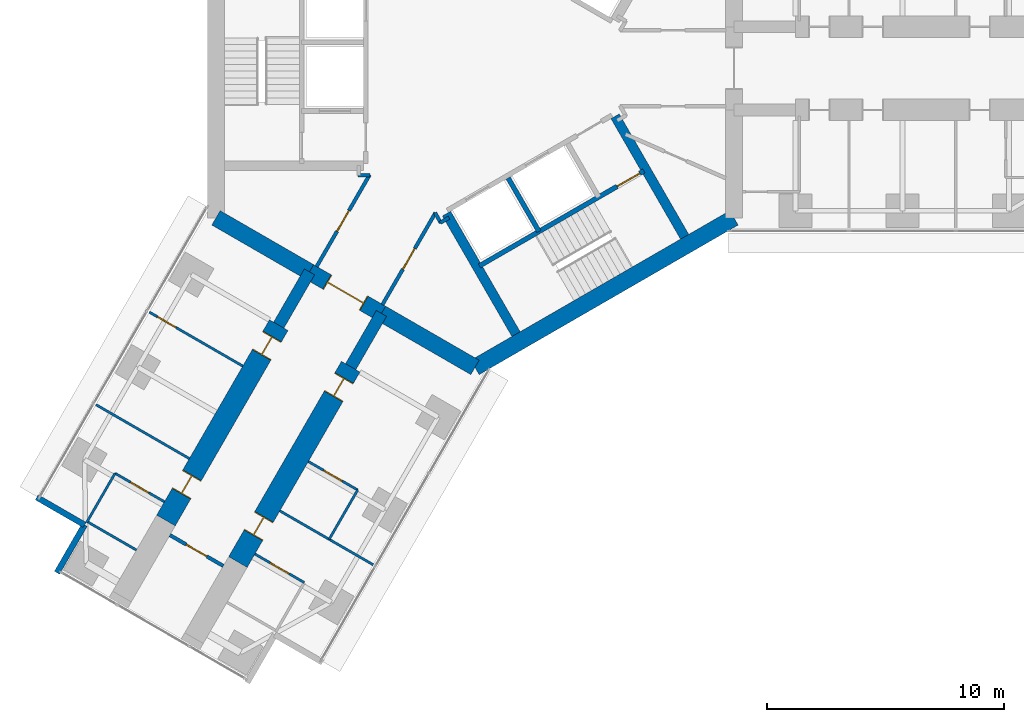
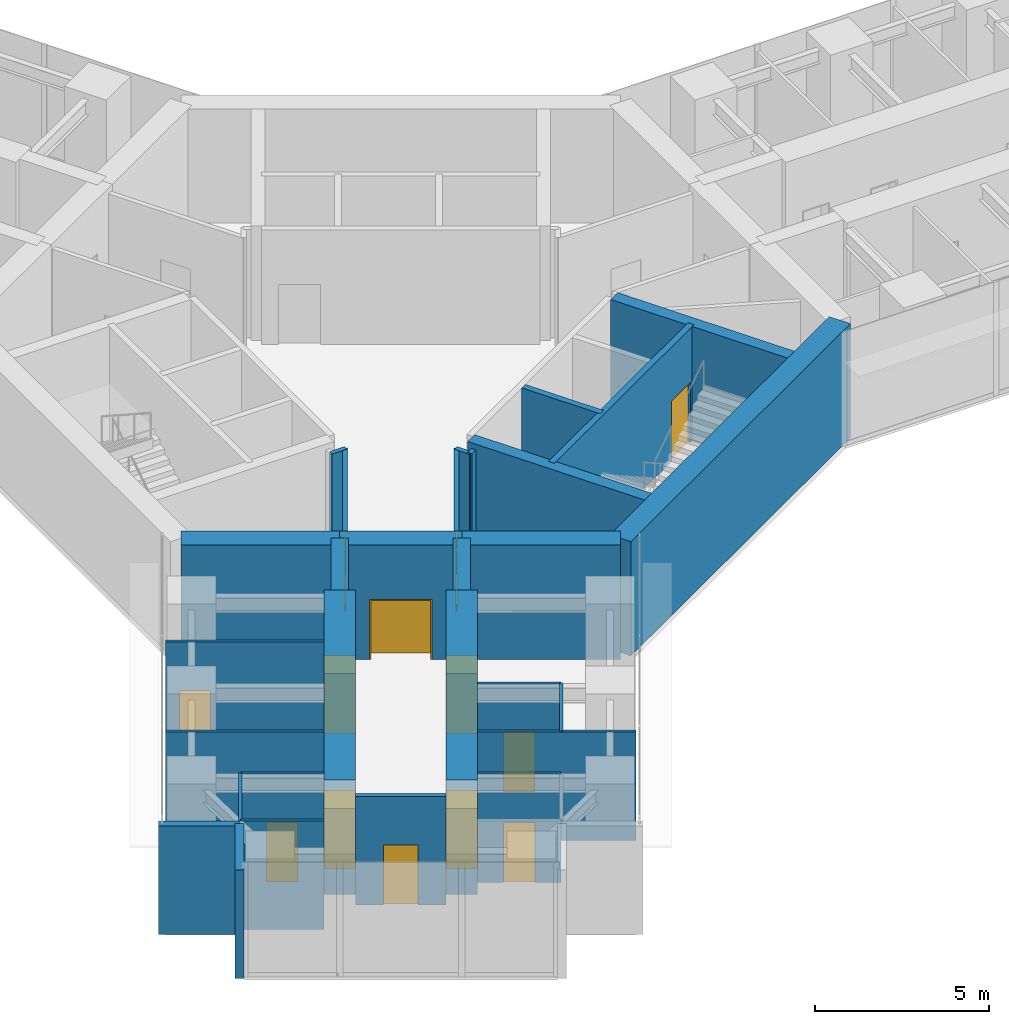
# One storey, part 16 of 25: 29 walls, 13 doors, 13 openings.
"""IFC4 building model written with IfcOpenShell, lengths in metres."""

from ifc_helpers import new_model, si_unit, direction, frame, frame_2d, origin, place, context, subcontext, project, spatial, rectangle, extrude, material, layer, layer_set, type_object, element, fill, save


model = new_model("IFC4")

# Units and contexts
model_context = context("Model", 3, precision=1e-05, world=origin(), true_north=direction((0.0, 1.0)))
body_context = subcontext(model_context, "Body", "Model", "MODEL_VIEW")
ifc_project = project(units=[si_unit("LENGTHUNIT", "METRE"), si_unit("AREAUNIT", "SQUARE_METRE"), si_unit("VOLUMEUNIT", "CUBIC_METRE"), si_unit("PLANEANGLEUNIT", "RADIAN"), si_unit("MASSUNIT", "GRAM", prefix="KILO")], contexts=[model_context])

# Site, building, storey
site_placement = place(None, origin())
site = spatial("IfcSite", under=ifc_project, at=site_placement, CompositionType="ELEMENT")
building_placement = place(site_placement, origin())
building = spatial("IfcBuilding", under=site, at=building_placement, Name="Upepo Twin Towers", CompositionType="ELEMENT")
storey_placement = place(building_placement, frame((0.0, 0.0, 80.5)))
storey = spatial("IfcBuildingStorey", under=building, at=storey_placement, Name="L19", CompositionType="ELEMENT", Elevation=80.5)

# Walls
ifc_material_1 = material(Name="Concrete C60/75", Category="concrete")
ifc_layer_1 = layer(ifc_material_1, 0.5)
ifc_layer_set_1 = layer_set([ifc_layer_1], Name="Concrete C60/75")
wall_type_1 = type_object("IfcWallType", Name="Buttress wall 500 RC", PredefinedType="SHEAR", material=ifc_layer_set_1)
for number, where, z_axis, x_axis, name in (
    (1, (-3.938720703125, -10.32177734375, 0.0), (0.0, 0.0, 1.0), (-0.499918158782, -0.866072649678, 0.0), "T1 wing C buttress wall L"),
    (2, (-6.9697265625, -8.57177734375, 0.0), (0.0, 0.0, 1.0), (-0.499988811324, -0.866031863473, 0.0), "T1 wing C buttress wall R"),
):
    element("IfcWall", number, at=place(storey_placement, frame(where, z_axis=z_axis, x_axis=x_axis)), inside=storey, type_object=wall_type_1, Name=name, PredefinedType="SHEAR", context=body_context, shape_type="SweptSolid", body=[
        extrude(rectangle(XDim=2.591796875, YDim=0.5, at=frame_2d((1.2958984375, 0.0))), origin(), (0.0, 0.0, 1.0), 4.0),
    ])

# Wall, openings, doors
ifc_material_2 = material(Name="Concrete C60/75", Category="concrete")
ifc_layer_2 = layer(ifc_material_2, 0.89990234375)
ifc_layer_set_2 = layer_set([ifc_layer_2], Name="Concrete C60/75")
wall_type_2 = type_object("IfcWallType", Name="Buttress wall 900 RC", PredefinedType="SHEAR", material=ifc_layer_set_2)
wall_1_placement = place(storey_placement, frame((-5.234375, -12.56640625, 0.0), z_axis=(0.0, 0.0, 1.0), x_axis=(-0.499997557548, -0.86602681393, 0.0)))
wall_1 = element("IfcWall", 3, at=wall_1_placement, inside=storey, type_object=wall_type_2, Name="T1 wing C buttress wall L part 2", PredefinedType="SHEAR", context=body_context, shape_type="SweptSolid", body=[
    extrude(rectangle(XDim=9.5, YDim=0.89990234375, at=frame_2d((4.75, 0.0))), origin(), (0.0, 0.0, 1.0), 4.0),
])
opening_1_placement = place(wall_1_placement, frame((0.550048828125, 0.0, 0.0)))
opening_1 = element("IfcOpeningElement", 4, at=opening_1_placement, cuts=wall_1, Name="Opening D14", PredefinedType="OPENING", context=body_context, shape_type="SweptSolid", body=[
    extrude(rectangle(XDim=0.89990234375, YDim=2.10009765625, at=frame_2d((0.449951171875, 1.050048828125))), frame((0.0, 0.4599609375, 0.0), z_axis=(0.0, -1.0, 0.0), x_axis=(1.0, 0.0, 0.0)), (0.0, 0.0, 1.0), 0.919921875),
])
opening_2_placement = place(wall_1_placement, frame((7.300048828125, 0.0, 0.0)))
opening_2 = element("IfcOpeningElement", 5, at=opening_2_placement, cuts=wall_1, Name="Opening D14", PredefinedType="OPENING", context=body_context, shape_type="SweptSolid", body=[
    extrude(rectangle(XDim=0.89990234375, YDim=2.10009765625, at=frame_2d((0.449951171875, 1.050048828125))), frame((0.0, 0.4599609375, 0.0), z_axis=(0.0, -1.0, 0.0), x_axis=(1.0, 0.0, 0.0)), (0.0, 0.0, 1.0), 0.919921875),
])
ifc_material_3 = material(Name="Timber doorset", Category="wood")
door_type_1 = type_object("IfcDoorType", Name="Office door 900 FD30", OperationType="SINGLE_SWING_LEFT", PredefinedType="DOOR", material=ifc_material_3)
door_1_placement = place(opening_1_placement, origin())
door_1 = element("IfcDoor", 6, at=door_1_placement, inside=storey, type_object=door_type_1, Name="T1 L19 open-plan staff office door", OperationType="SINGLE_SWING_LEFT", OverallHeight=2.10009765625, OverallWidth=0.89990234375, PredefinedType="DOOR", context=body_context, shape_type="SweptSolid", body=[
    extrude(rectangle(XDim=0.81990234375, YDim=2.06009765625, at=frame_2d((0.449951171875, 1.030029296875))), frame((0.0, 0.02490234375, 0.0), z_axis=(0.0, -1.0, 0.0), x_axis=(1.0, 0.0, 0.0)), (0.0, 0.0, 1.0), 0.050048828125),
    extrude(rectangle(XDim=0.04, YDim=2.10009765625, at=frame_2d((0.02001953125, 1.050048828125))), frame((0.0, 0.44970703125, 0.0), z_axis=(0.0, -1.0, 0.0), x_axis=(1.0, 0.0, 0.0)), (0.0, 0.0, 1.0), 0.8994140625),
    extrude(rectangle(XDim=0.04, YDim=2.10009765625, at=frame_2d((0.8798828125, 1.050048828125))), frame((0.0, 0.44970703125, 0.0), z_axis=(0.0, -1.0, 0.0), x_axis=(1.0, 0.0, 0.0)), (0.0, 0.0, 1.0), 0.8994140625),
    extrude(rectangle(XDim=0.81990234375, YDim=0.04, at=frame_2d((0.449951171875, 2.080078125))), frame((0.0, 0.44970703125, 0.0), z_axis=(0.0, -1.0, 0.0), x_axis=(1.0, 0.0, 0.0)), (0.0, 0.0, 1.0), 0.8994140625),
])
fill(opening_1, door_1)
door_2_placement = place(opening_2_placement, origin())
door_2 = element("IfcDoor", 7, at=door_2_placement, inside=storey, type_object=door_type_1, Name="T1 L19 meeting room door", OperationType="SINGLE_SWING_RIGHT", OverallHeight=2.10009765625, OverallWidth=0.89990234375, PredefinedType="DOOR", context=body_context, shape_type="SweptSolid", body=[
    extrude(rectangle(XDim=0.81990234375, YDim=2.06009765625, at=frame_2d((0.449951171875, 1.030029296875))), frame((0.0, 0.02490234375, 0.0), z_axis=(0.0, -1.0, 0.0), x_axis=(1.0, 0.0, 0.0)), (0.0, 0.0, 1.0), 0.050048828125),
    extrude(rectangle(XDim=0.04, YDim=2.10009765625, at=frame_2d((0.02001953125, 1.050048828125))), frame((0.0, 0.44970703125, 0.0), z_axis=(0.0, -1.0, 0.0), x_axis=(1.0, 0.0, 0.0)), (0.0, 0.0, 1.0), 0.8994140625),
    extrude(rectangle(XDim=0.04, YDim=2.10009765625, at=frame_2d((0.8798828125, 1.050048828125))), frame((0.0, 0.44970703125, 0.0), z_axis=(0.0, -1.0, 0.0), x_axis=(1.0, 0.0, 0.0)), (0.0, 0.0, 1.0), 0.8994140625),
    extrude(rectangle(XDim=0.81990234375, YDim=0.04, at=frame_2d((0.449951171875, 2.080078125))), frame((0.0, 0.44970703125, 0.0), z_axis=(0.0, -1.0, 0.0), x_axis=(1.0, 0.0, 0.0)), (0.0, 0.0, 1.0), 0.8994140625),
])
fill(opening_2, door_2)

wall_2_placement = place(storey_placement, frame((-8.265625, -10.81640625, 0.0), z_axis=(0.0, 0.0, 1.0), x_axis=(-0.499997557548, -0.86602681393, 0.0)))
wall_2 = element("IfcWall", 8, at=wall_2_placement, inside=storey, type_object=wall_type_2, Name="T1 wing C buttress wall R part 2", PredefinedType="SHEAR", context=body_context, shape_type="SweptSolid", body=[
    extrude(rectangle(XDim=9.5, YDim=0.89990234375, at=frame_2d((4.75, 0.0))), origin(), (0.0, 0.0, 1.0), 4.0),
])
opening_3_placement = place(wall_2_placement, frame((0.550048828125, 0.0, 0.0)))
opening_3 = element("IfcOpeningElement", 9, at=opening_3_placement, cuts=wall_2, Name="Opening D14", PredefinedType="OPENING", context=body_context, shape_type="SweptSolid", body=[
    extrude(rectangle(XDim=0.89990234375, YDim=2.10009765625, at=frame_2d((0.449951171875, 1.050048828125))), frame((0.0, 0.4599609375, 0.0), z_axis=(0.0, -1.0, 0.0), x_axis=(1.0, 0.0, 0.0)), (0.0, 0.0, 1.0), 0.919921875),
])
opening_4_placement = place(wall_2_placement, frame((7.300048828125, 0.0, 0.0)))
opening_4 = element("IfcOpeningElement", 10, at=opening_4_placement, cuts=wall_2, Name="Opening D14", PredefinedType="OPENING", context=body_context, shape_type="SweptSolid", body=[
    extrude(rectangle(XDim=0.89990234375, YDim=2.10009765625, at=frame_2d((0.449951171875, 1.050048828125))), frame((0.0, 0.4599609375, 0.0), z_axis=(0.0, -1.0, 0.0), x_axis=(1.0, 0.0, 0.0)), (0.0, 0.0, 1.0), 0.919921875),
])
door_3_placement = place(opening_3_placement, origin())
door_3 = element("IfcDoor", 11, at=door_3_placement, inside=storey, type_object=door_type_1, Name="T1 L19 staff office door", OperationType="SINGLE_SWING_LEFT", OverallHeight=2.10009765625, OverallWidth=0.89990234375, PredefinedType="DOOR", context=body_context, shape_type="SweptSolid", body=[
    extrude(rectangle(XDim=0.81990234375, YDim=2.06009765625, at=frame_2d((0.449951171875, 1.030029296875))), frame((0.0, 0.02490234375, 0.0), z_axis=(0.0, -1.0, 0.0), x_axis=(1.0, 0.0, 0.0)), (0.0, 0.0, 1.0), 0.050048828125),
    extrude(rectangle(XDim=0.04, YDim=2.10009765625, at=frame_2d((0.02001953125, 1.050048828125))), frame((0.0, 0.44970703125, 0.0), z_axis=(0.0, -1.0, 0.0), x_axis=(1.0, 0.0, 0.0)), (0.0, 0.0, 1.0), 0.8994140625),
    extrude(rectangle(XDim=0.04, YDim=2.10009765625, at=frame_2d((0.8798828125, 1.050048828125))), frame((0.0, 0.44970703125, 0.0), z_axis=(0.0, -1.0, 0.0), x_axis=(1.0, 0.0, 0.0)), (0.0, 0.0, 1.0), 0.8994140625),
    extrude(rectangle(XDim=0.81990234375, YDim=0.04, at=frame_2d((0.449951171875, 2.080078125))), frame((0.0, 0.44970703125, 0.0), z_axis=(0.0, -1.0, 0.0), x_axis=(1.0, 0.0, 0.0)), (0.0, 0.0, 1.0), 0.8994140625),
])
fill(opening_3, door_3)
door_4_placement = place(opening_4_placement, origin())
door_4 = element("IfcDoor", 12, at=door_4_placement, inside=storey, type_object=door_type_1, Name="T1 L19 postgraduate office door", OperationType="SINGLE_SWING_RIGHT", OverallHeight=2.10009765625, OverallWidth=0.89990234375, PredefinedType="DOOR", context=body_context, shape_type="SweptSolid", body=[
    extrude(rectangle(XDim=0.81990234375, YDim=2.06009765625, at=frame_2d((0.449951171875, 1.030029296875))), frame((0.0, 0.02490234375, 0.0), z_axis=(0.0, -1.0, 0.0), x_axis=(1.0, 0.0, 0.0)), (0.0, 0.0, 1.0), 0.050048828125),
    extrude(rectangle(XDim=0.04, YDim=2.10009765625, at=frame_2d((0.02001953125, 1.050048828125))), frame((0.0, 0.44970703125, 0.0), z_axis=(0.0, -1.0, 0.0), x_axis=(1.0, 0.0, 0.0)), (0.0, 0.0, 1.0), 0.8994140625),
    extrude(rectangle(XDim=0.04, YDim=2.10009765625, at=frame_2d((0.8798828125, 1.050048828125))), frame((0.0, 0.44970703125, 0.0), z_axis=(0.0, -1.0, 0.0), x_axis=(1.0, 0.0, 0.0)), (0.0, 0.0, 1.0), 0.8994140625),
    extrude(rectangle(XDim=0.81990234375, YDim=0.04, at=frame_2d((0.449951171875, 2.080078125))), frame((0.0, 0.44970703125, 0.0), z_axis=(0.0, -1.0, 0.0), x_axis=(1.0, 0.0, 0.0)), (0.0, 0.0, 1.0), 0.8994140625),
])
fill(opening_4, door_4)

# Wall
ifc_material_4 = material(Name="Concrete C60/75", Category="concrete")
ifc_layer_3 = layer(ifc_material_4, 0.699951171875)
ifc_layer_set_3 = layer_set([ifc_layer_3], Name="Concrete C60/75")
wall_type_3 = type_object("IfcWallType", Name="Core wall 700 RC", PredefinedType="SHEAR", material=ifc_layer_set_3)
wall_3_placement = place(storey_placement, frame((-10.908447265625, -6.2978515625, 0.0), z_axis=(0.0, 0.0, 1.0), x_axis=(0.866034513004, -0.499984222037, 0.0)))
element("IfcWall", 13, at=wall_3_placement, inside=storey, type_object=wall_type_3, Name="T1 core wall 240 R", PredefinedType="SHEAR", context=body_context, shape_type="SweptSolid", body=[
    extrude(rectangle(XDim=4.548095703125, YDim=0.699951171875, at=frame_2d((2.27392578125, 0.0))), origin(), (0.0, 0.0, 1.0), 4.0),
])

# Wall, opening, door
wall_4_placement = place(storey_placement, frame((-6.9697265625, -8.57177734375, 0.0), z_axis=(0.0, 0.0, 1.0), x_axis=(0.866019471182, -0.500010275428, 0.0)))
wall_4 = element("IfcWall", 14, at=wall_4_placement, inside=storey, type_object=wall_type_3, Name="T1 core wall 240", PredefinedType="SHEAR", context=body_context, shape_type="SweptSolid", body=[
    extrude(rectangle(XDim=3.5, YDim=0.699951171875, at=frame_2d((1.75, 0.0))), origin(), (0.0, 0.0, 1.0), 4.0),
])
opening_5_placement = place(wall_4_placement, frame((0.85009765625, 0.0, 0.0)))
opening_5 = element("IfcOpeningElement", 15, at=opening_5_placement, cuts=wall_4, Name="Opening D2", PredefinedType="OPENING", context=body_context, shape_type="SweptSolid", body=[
    extrude(rectangle(XDim=1.800048828125, YDim=2.10009765625, at=frame_2d((0.89990234375, 1.050048828125))), frame((0.0, 0.35986328125, 0.0), z_axis=(0.0, -1.0, 0.0), x_axis=(1.0, 0.0, 0.0)), (0.0, 0.0, 1.0), 0.719970703125),
])
ifc_material_5 = material(Name="Timber doorset", Category="wood")
door_type_2 = type_object("IfcDoorType", Name="Corridor double door 1800 FD60", OperationType="DOUBLE_DOOR_DOUBLE_SWING", PredefinedType="DOOR", material=ifc_material_5)
door_5_placement = place(opening_5_placement, origin())
door_5 = element("IfcDoor", 16, at=door_5_placement, inside=storey, type_object=door_type_2, Name="T1 L19 wing C corridor door", OperationType="DOUBLE_DOOR_DOUBLE_SWING", OverallHeight=2.10009765625, OverallWidth=1.800048828125, PredefinedType="DOOR", context=body_context, shape_type="SweptSolid", body=[
    extrude(rectangle(XDim=1.720048828125, YDim=2.06009765625, at=frame_2d((0.89990234375, 1.030029296875))), frame((0.0, 0.02490234375, 0.0), z_axis=(0.0, -1.0, 0.0), x_axis=(1.0, 0.0, 0.0)), (0.0, 0.0, 1.0), 0.050048828125),
    extrude(rectangle(XDim=0.04, YDim=2.10009765625, at=frame_2d((0.02001953125, 1.050048828125))), frame((0.0, 0.349609375, 0.0), z_axis=(0.0, -1.0, 0.0), x_axis=(1.0, 0.0, 0.0)), (0.0, 0.0, 1.0), 0.699462890625),
    extrude(rectangle(XDim=0.04, YDim=2.10009765625, at=frame_2d((1.780029296875, 1.050048828125))), frame((0.0, 0.349609375, 0.0), z_axis=(0.0, -1.0, 0.0), x_axis=(1.0, 0.0, 0.0)), (0.0, 0.0, 1.0), 0.699462890625),
    extrude(rectangle(XDim=1.720048828125, YDim=0.04, at=frame_2d((0.89990234375, 2.080078125))), frame((0.0, 0.349609375, 0.0), z_axis=(0.0, -1.0, 0.0), x_axis=(1.0, 0.0, 0.0)), (0.0, 0.0, 1.0), 0.699462890625),
])
fill(opening_5, door_5)

# Walls
wall_5_placement = place(storey_placement, frame((-3.938720703125, -10.32177734375, 0.0), z_axis=(0.0, 0.0, 1.0), x_axis=(0.866011268655, -0.500024481964, 0.0)))
element("IfcWall", 17, at=wall_5_placement, inside=storey, type_object=wall_type_3, Name="T1 core wall 240 L", PredefinedType="SHEAR", context=body_context, shape_type="SweptSolid", body=[
    extrude(rectangle(XDim=4.548095703125, YDim=0.699951171875, at=frame_2d((2.27392578125, 0.0))), origin(), (0.0, 0.0, 1.0), 4.0),
])
wall_6_placement = place(storey_placement, frame((0.0, -12.595947265625, 0.0), z_axis=(0.0, 0.0, 1.0), x_axis=(0.866021940709, 0.500005998175, 0.0)))
element("IfcWall", 18, at=wall_6_placement, inside=storey, type_object=wall_type_3, Name="T1 core wall 300", PredefinedType="SHEAR", context=body_context, shape_type="SweptSolid", body=[
    extrude(rectangle(XDim=12.595947265625, YDim=0.699951171875, at=frame_2d((6.2978515625, 0.0))), origin(), (0.0, 0.0, 1.0), 4.0),
])
ifc_material_6 = material(Name="Blockwork with anodised aluminium cladding", Category="masonry")
ifc_layer_4 = layer(ifc_material_6, 0.25)
ifc_layer_set_4 = layer_set([ifc_layer_4], Name="Notch cladding wall 250, pale metal")
wall_type_4 = type_object("IfcWallType", Name="Notch cladding wall 250, pale metal", PredefinedType="STANDARD", material=ifc_layer_set_4)
for number, where, z_axis, x_axis, name in (
    (19, (-18.456298828125, -18.0673828125, 0.0), (0.0, 0.0, 1.0), (0.865998469481, -0.500046648681, 0.0), "T1 L19 wing C notch wall R1"),
    (20, (-16.44287109375, -19.22998046875, 0.0), (0.0, 0.0, 1.0), (-0.500046648681, -0.865998469481, 0.0), "T1 L19 wing C notch wall R2"),
):
    element("IfcWall", number, at=place(storey_placement, frame(where, z_axis=z_axis, x_axis=x_axis)), inside=storey, type_object=wall_type_4, Name=name, PredefinedType="STANDARD", context=body_context, shape_type="SweptSolid", body=[
        extrude(rectangle(XDim=2.324951171875, YDim=0.25, at=frame_2d((1.16259765625, 0.0))), origin(), (0.0, 0.0, 1.0), 3.800048828125),
    ])
ifc_material_7 = material(Name="Gypsum board on steel studs", Category="steel")
ifc_layer_5 = layer(ifc_material_7, 0.10009765625)
ifc_layer_set_5 = layer_set([ifc_layer_5], Name="Office partition 100 stud")
wall_type_5 = type_object("IfcWallType", Name="Office partition 100 stud", PredefinedType="PARTITIONING", material=ifc_layer_set_5)
wall_7_placement = place(storey_placement, frame((-8.2197265625, -18.636962890625, 0.0), z_axis=(0.0, 0.0, 1.0), x_axis=(0.866012237902, -0.500022803284, 0.0)))
element("IfcWall", 21, at=wall_7_placement, inside=storey, type_object=wall_type_5, Name="T1 partition CL at 20.25", PredefinedType="PARTITIONING", context=body_context, shape_type="SweptSolid", body=[
    extrude(rectangle(XDim=4.550048828125, YDim=0.10009765625, at=frame_2d((2.27490234375, 0.0))), origin(), (0.0, 0.0, 1.0), 3.800048828125),
])
wall_8_placement = place(storey_placement, frame((-4.941162109375, -17.758544921875, 0.0), z_axis=(0.0, 0.0, 1.0), x_axis=(-0.500077600433, -0.865980596518, 0.0)))
element("IfcWall", 22, at=wall_8_placement, inside=storey, type_object=wall_type_5, Name="T1 inner room partition CL at 17.85", PredefinedType="PARTITIONING", context=body_context, shape_type="SweptSolid", body=[
    extrude(rectangle(XDim=2.39990234375, YDim=0.10009765625, at=frame_2d((1.199951171875, 0.0))), origin(), (0.0, 0.0, 1.0), 3.800048828125),
])

# Wall, opening, door
wall_9_placement = place(storey_placement, frame((-7.019775390625, -16.55859375, 0.0), z_axis=(0.0, 0.0, 1.0), x_axis=(0.866050077142, -0.499957262057, 0.0)))
wall_9 = element("IfcWall", 23, at=wall_9_placement, inside=storey, type_object=wall_type_5, Name="T1 inner room partition CL end at 17.85", PredefinedType="PARTITIONING", context=body_context, shape_type="SweptSolid", body=[
    extrude(rectangle(XDim=2.400146484375, YDim=0.10009765625, at=frame_2d((1.2001953125, 0.0))), origin(), (0.0, 0.0, 1.0), 3.800048828125),
])
opening_6_placement = place(wall_9_placement, frame((0.75, 0.0, 0.0)))
opening_6 = element("IfcOpeningElement", 24, at=opening_6_placement, cuts=wall_9, Name="Opening D14", PredefinedType="OPENING", context=body_context, shape_type="SweptSolid", body=[
    extrude(rectangle(XDim=0.89990234375, YDim=2.10009765625, at=frame_2d((0.449951171875, 1.050048828125))), frame((0.0, 0.06005859375, 0.0), z_axis=(0.0, -1.0, 0.0), x_axis=(1.0, 0.0, 0.0)), (0.0, 0.0, 1.0), 0.1201171875),
])
door_6_placement = place(opening_6_placement, origin())
door_6 = element("IfcDoor", 25, at=door_6_placement, inside=storey, type_object=door_type_1, Name="T1 L19 inner room door", OperationType="SINGLE_SWING_LEFT", OverallHeight=2.10009765625, OverallWidth=0.89990234375, PredefinedType="DOOR", context=body_context, shape_type="SweptSolid", body=[
    extrude(rectangle(XDim=0.89990234375, YDim=2.10009765625, at=frame_2d((0.449951171875, 1.050048828125))), frame((0.0, 0.02490234375, 0.0), z_axis=(0.0, -1.0, 0.0), x_axis=(1.0, 0.0, 0.0)), (0.0, 0.0, 1.0), 0.050048828125),
])
fill(opening_6, door_6)

wall_10_placement = place(storey_placement, frame((-9.269775390625, -20.45556640625, 0.0), z_axis=(0.0, 0.0, 1.0), x_axis=(0.866006032174, -0.500033551112, 0.0)))
wall_10 = element("IfcWall", 26, at=wall_10_placement, inside=storey, type_object=wall_type_5, Name="T1 inner room partition CL end at 22.35", PredefinedType="PARTITIONING", context=body_context, shape_type="SweptSolid", body=[
    extrude(rectangle(XDim=2.400146484375, YDim=0.10009765625, at=frame_2d((1.2001953125, 0.0))), origin(), (0.0, 0.0, 1.0), 3.800048828125),
])
opening_7_placement = place(wall_10_placement, frame((0.75, 0.0, 0.0)))
opening_7 = element("IfcOpeningElement", 27, at=opening_7_placement, cuts=wall_10, Name="Opening D14", PredefinedType="OPENING", context=body_context, shape_type="SweptSolid", body=[
    extrude(rectangle(XDim=0.89990234375, YDim=2.10009765625, at=frame_2d((0.449951171875, 1.050048828125))), frame((0.0, 0.06005859375, 0.0), z_axis=(0.0, -1.0, 0.0), x_axis=(1.0, 0.0, 0.0)), (0.0, 0.0, 1.0), 0.1201171875),
])
door_7_placement = place(opening_7_placement, origin())
door_7 = element("IfcDoor", 28, at=door_7_placement, inside=storey, type_object=door_type_1, Name="T1 L19 inner room door", OperationType="SINGLE_SWING_LEFT", OverallHeight=2.10009765625, OverallWidth=0.89990234375, PredefinedType="DOOR", context=body_context, shape_type="SweptSolid", body=[
    extrude(rectangle(XDim=0.89990234375, YDim=2.10009765625, at=frame_2d((0.449951171875, 1.050048828125))), frame((0.0, 0.02490234375, 0.0), z_axis=(0.0, -1.0, 0.0), x_axis=(1.0, 0.0, 0.0)), (0.0, 0.0, 1.0), 0.050048828125),
])
fill(opening_7, door_7)

wall_11_placement = place(storey_placement, frame((-9.7802734375, -12.539794921875, 0.0), z_axis=(0.0, 0.0, 1.0), x_axis=(-0.866035472144, 0.499982560684, 0.0)))
wall_11 = element("IfcWall", 29, at=wall_11_placement, inside=storey, type_object=wall_type_5, Name="T1 partition CR at 15.75", PredefinedType="PARTITIONING", context=body_context, shape_type="SweptSolid", body=[
    extrude(rectangle(XDim=4.550048828125, YDim=0.10009765625, at=frame_2d((2.27490234375, 0.0))), origin(), (0.0, 0.0, 1.0), 3.800048828125),
])
opening_8_placement = place(wall_11_placement, frame((3.25, 0.0, 0.0)))
opening_8 = element("IfcOpeningElement", 30, at=opening_8_placement, cuts=wall_11, Name="Opening D14", PredefinedType="OPENING", context=body_context, shape_type="SweptSolid", body=[
    extrude(rectangle(XDim=0.89990234375, YDim=2.10009765625, at=frame_2d((0.449951171875, 1.050048828125))), frame((0.0, 0.06005859375, 0.0), z_axis=(0.0, -1.0, 0.0), x_axis=(1.0, 0.0, 0.0)), (0.0, 0.0, 1.0), 0.1201171875),
])
door_8_placement = place(opening_8_placement, origin())
door_8 = element("IfcDoor", 31, at=door_8_placement, inside=storey, type_object=door_type_1, Name="T1 L19 connecting door", OperationType="SINGLE_SWING_RIGHT", OverallHeight=2.10009765625, OverallWidth=0.89990234375, PredefinedType="DOOR", context=body_context, shape_type="SweptSolid", body=[
    extrude(rectangle(XDim=0.89990234375, YDim=2.10009765625, at=frame_2d((0.449951171875, 1.050048828125))), frame((0.0, 0.02490234375, 0.0), z_axis=(0.0, -1.0, 0.0), x_axis=(1.0, 0.0, 0.0)), (0.0, 0.0, 1.0), 0.050048828125),
])
fill(opening_8, door_8)

# Walls
wall_12_placement = place(storey_placement, frame((-12.0302734375, -16.43701171875, 0.0), z_axis=(0.0, 0.0, 1.0), x_axis=(-0.866035472144, 0.499982560684, 0.0)))
element("IfcWall", 32, at=wall_12_placement, inside=storey, type_object=wall_type_5, Name="T1 partition CR at 20.25", PredefinedType="PARTITIONING", context=body_context, shape_type="SweptSolid", body=[
    extrude(rectangle(XDim=4.550048828125, YDim=0.10009765625, at=frame_2d((2.27490234375, 0.0))), origin(), (0.0, 0.0, 1.0), 3.800048828125),
])
wall_13_placement = place(storey_placement, frame((-15.15869140625, -17.0556640625, 0.0), z_axis=(0.0, 0.0, 1.0), x_axis=(-0.500001309137, -0.866024647952, 0.0)))
element("IfcWall", 33, at=wall_13_placement, inside=storey, type_object=wall_type_5, Name="T1 inner room partition CR at 22.35", PredefinedType="PARTITIONING", context=body_context, shape_type="SweptSolid", body=[
    extrude(rectangle(XDim=2.39990234375, YDim=0.10009765625, at=frame_2d((1.199951171875, 0.0))), origin(), (0.0, 0.0, 1.0), 3.800048828125),
])

# Wall, opening, door
wall_14_placement = place(storey_placement, frame((-13.080322265625, -18.255615234375, 0.0), z_axis=(0.0, 0.0, 1.0), x_axis=(-0.866024647952, 0.500001309137, 0.0)))
wall_14 = element("IfcWall", 34, at=wall_14_placement, inside=storey, type_object=wall_type_5, Name="T1 inner room partition CR end at 22.35", PredefinedType="PARTITIONING", context=body_context, shape_type="SweptSolid", body=[
    extrude(rectangle(XDim=2.39990234375, YDim=0.10009765625, at=frame_2d((1.199951171875, 0.0))), origin(), (0.0, 0.0, 1.0), 3.800048828125),
])
opening_9_placement = place(wall_14_placement, frame((0.75, 0.0, 0.0)))
opening_9 = element("IfcOpeningElement", 35, at=opening_9_placement, cuts=wall_14, Name="Opening D14", PredefinedType="OPENING", context=body_context, shape_type="SweptSolid", body=[
    extrude(rectangle(XDim=0.89990234375, YDim=2.10009765625, at=frame_2d((0.449951171875, 1.050048828125))), frame((0.0, 0.06005859375, 0.0), z_axis=(0.0, -1.0, 0.0), x_axis=(1.0, 0.0, 0.0)), (0.0, 0.0, 1.0), 0.1201171875),
])
door_9_placement = place(opening_9_placement, origin())
door_9 = element("IfcDoor", 36, at=door_9_placement, inside=storey, type_object=door_type_1, Name="T1 L19 inner room door", OperationType="SINGLE_SWING_LEFT", OverallHeight=2.10009765625, OverallWidth=0.89990234375, PredefinedType="DOOR", context=body_context, shape_type="SweptSolid", body=[
    extrude(rectangle(XDim=0.89990234375, YDim=2.10009765625, at=frame_2d((0.449951171875, 1.050048828125))), frame((0.0, 0.02490234375, 0.0), z_axis=(0.0, -1.0, 0.0), x_axis=(1.0, 0.0, 0.0)), (0.0, 0.0, 1.0), 0.050048828125),
])
fill(opening_9, door_9)

# Walls
wall_15_placement = place(storey_placement, frame((-14.25537109375, -20.290771484375, 0.0), z_axis=(0.0, 0.0, 1.0), x_axis=(-0.866024647952, 0.500001309137, 0.0)))
element("IfcWall", 37, at=wall_15_placement, inside=storey, type_object=wall_type_5, Name="T1 inner room partition CR end at 24.75", PredefinedType="PARTITIONING", context=body_context, shape_type="SweptSolid", body=[
    extrude(rectangle(XDim=2.39990234375, YDim=0.10009765625, at=frame_2d((1.199951171875, 0.0))), origin(), (0.0, 0.0, 1.0), 3.800048828125),
])
ifc_material_8 = material(Name="Concrete C40/50", Category="concrete")
ifc_layer_6 = layer(ifc_material_8, 0.199951171875)
ifc_layer_set_6 = layer_set([ifc_layer_6], Name="Concrete C40/50")
wall_type_6 = type_object("IfcWallType", Name="Shaft wall 200 RC", PredefinedType="SHEAR", material=ifc_layer_set_6)
wall_16_placement = place(storey_placement, frame((1.3974609375, -4.620361328125, 0.0), z_axis=(0.0, 0.0, 1.0), x_axis=(0.499936506574, -0.866062058628, 0.0)))
element("IfcWall", 38, at=wall_16_placement, inside=storey, type_object=wall_type_6, Name="T1 core W300 shaft divider", PredefinedType="SHEAR", context=body_context, shape_type="SweptSolid", body=[
    extrude(rectangle(XDim=2.599853515625, YDim=0.199951171875, at=frame_2d((1.2998046875, 0.0))), origin(), (0.0, 0.0, 1.0), 4.0),
])

# Wall, opening, door
wall_17_placement = place(storey_placement, frame((0.185791015625, -8.322021484375, 0.0), z_axis=(0.0, 0.0, 1.0), x_axis=(0.866026010844, 0.49999894854, 0.0)))
wall_17 = element("IfcWall", 39, at=wall_17_placement, inside=storey, type_object=wall_type_6, Name="T1 core W300 stair wall", PredefinedType="SHEAR", context=body_context, shape_type="SweptSolid", body=[
    extrude(rectangle(XDim=8.0, YDim=0.199951171875, at=frame_2d((4.0, 0.0))), origin(), (0.0, 0.0, 1.0), 4.0),
])
opening_10_placement = place(wall_17_placement, frame((6.699951171875, 0.0, 0.0)))
opening_10 = element("IfcOpeningElement", 40, at=opening_10_placement, cuts=wall_17, Name="Opening D3", PredefinedType="OPENING", context=body_context, shape_type="SweptSolid", body=[
    extrude(rectangle(XDim=1.10009765625, YDim=2.10009765625, at=frame_2d((0.550048828125, 1.050048828125))), frame((0.0, 0.10986328125, 0.0), z_axis=(0.0, -1.0, 0.0), x_axis=(1.0, 0.0, 0.0)), (0.0, 0.0, 1.0), 0.219970703125),
])
ifc_material_9 = material(Name="Timber doorset", Category="wood")
door_type_3 = type_object("IfcDoorType", Name="Stair door 1100 FD60", OperationType="SINGLE_SWING_LEFT", PredefinedType="DOOR", material=ifc_material_9)
door_10_placement = place(opening_10_placement, origin())
door_10 = element("IfcDoor", 41, at=door_10_placement, inside=storey, type_object=door_type_3, Name="T1 L19 stair door", OperationType="SINGLE_SWING_RIGHT", OverallHeight=2.10009765625, OverallWidth=1.10009765625, PredefinedType="DOOR", context=body_context, shape_type="SweptSolid", body=[
    extrude(rectangle(XDim=1.10009765625, YDim=2.10009765625, at=frame_2d((0.550048828125, 1.050048828125))), frame((0.0, 0.02490234375, 0.0), z_axis=(0.0, -1.0, 0.0), x_axis=(1.0, 0.0, 0.0)), (0.0, 0.0, 1.0), 0.050048828125),
])
fill(opening_10, door_10)

# Walls
ifc_material_10 = material(Name="Concrete C40/50", Category="concrete")
ifc_layer_7 = layer(ifc_material_10, 0.39990234375)
ifc_layer_set_7 = layer_set([ifc_layer_7], Name="Concrete C40/50")
wall_type_7 = type_object("IfcWallType", Name="Shaft wall 400 RC", PredefinedType="SHEAR", material=ifc_layer_set_7)
for number, where, z_axis, x_axis, name in (
    (42, (5.900634765625, -2.020263671875, 0.0), (0.0, 0.0, 1.0), (0.500002627198, -0.866023886965, 0.0), "T1 core W300 side wall N"),
    (43, (-1.20068359375, -6.120361328125, 0.0), (0.0, 0.0, 1.0), (0.500002627198, -0.866023886965, 0.0), "T1 core W300 side wall S"),
):
    element("IfcWall", number, at=place(storey_placement, frame(where, z_axis=z_axis, x_axis=x_axis)), inside=storey, type_object=wall_type_7, Name=name, PredefinedType="SHEAR", context=body_context, shape_type="SweptSolid", body=[
        extrude(rectangle(XDim=5.8583984375, YDim=0.39990234375, at=frame_2d((2.92919921875, 0.0))), origin(), (0.0, 0.0, 1.0), 4.0),
    ])
ifc_material_11 = material(Name="Gypsum board on steel studs", Category="steel")
ifc_layer_8 = layer(ifc_material_11, 0.14990234375)
ifc_layer_set_8 = layer_set([ifc_layer_8], Name="Teaching partition 150 acoustic")
wall_type_8 = type_object("IfcWallType", Name="Teaching partition 150 acoustic", PredefinedType="PARTITIONING", material=ifc_layer_set_8)
wall_18_placement = place(storey_placement, frame((-1.092041015625, -6.28857421875, 0.0), z_axis=(0.0, 0.0, 1.0), x_axis=(-0.866138304741, -0.499804398801, 0.0)))
element("IfcWall", 44, at=wall_18_placement, inside=storey, type_object=wall_type_8, Name="T1 core room partition 2", PredefinedType="PARTITIONING", context=body_context, shape_type="SweptSolid", body=[
    extrude(rectangle(XDim=0.429931640625, YDim=0.14990234375, at=frame_2d((0.21484375, 0.0))), origin(), (0.0, 0.0, 1.0), 3.800048828125),
])
wall_19_placement = place(storey_placement, frame((-1.43701171875, -6.5107421875, 0.0), z_axis=(0.0, 0.0, 1.0), x_axis=(-0.50033519877, 0.865831790172, 0.0)))
element("IfcWall", 45, at=wall_19_placement, inside=storey, type_object=wall_type_8, Name="T1 core room partition 3", PredefinedType="PARTITIONING", context=body_context, shape_type="SweptSolid", body=[
    extrude(rectangle(XDim=0.494384765625, YDim=0.14990234375, at=frame_2d((0.2470703125, 0.0))), origin(), (0.0, 0.0, 1.0), 3.800048828125),
])

# Wall, opening, door
wall_20_placement = place(storey_placement, frame((-1.664306640625, -6.082763671875, 0.0), z_axis=(0.0, 0.0, 1.0), x_axis=(-0.499999927604, -0.866025445582, 0.0)))
wall_20 = element("IfcWall", 46, at=wall_20_placement, inside=storey, type_object=wall_type_8, Name="T1 core room partition 4", PredefinedType="PARTITIONING", context=body_context, shape_type="SweptSolid", body=[
    extrude(rectangle(XDim=4.46826171875, YDim=0.14990234375, at=frame_2d((2.234130859375, 0.0))), origin(), (0.0, 0.0, 1.0), 3.800048828125),
])
opening_11_placement = place(wall_20_placement, frame((1.744384765625, 0.0, 0.0)))
opening_11 = element("IfcOpeningElement", 47, at=opening_11_placement, cuts=wall_20, Name="Opening D1", PredefinedType="OPENING", context=body_context, shape_type="SweptSolid", body=[
    extrude(rectangle(XDim=1.0, YDim=2.10009765625, at=frame_2d((0.5, 1.050048828125))), frame((0.0, 0.0849609375, 0.0), z_axis=(0.0, -1.0, 0.0), x_axis=(1.0, 0.0, 0.0)), (0.0, 0.0, 1.0), 0.169921875),
])
ifc_material_12 = material(Name="Timber doorset", Category="wood")
door_type_4 = type_object("IfcDoorType", Name="Room door 1000 FD30", OperationType="SINGLE_SWING_LEFT", PredefinedType="DOOR", material=ifc_material_12)
door_11_placement = place(opening_11_placement, origin())
door_11 = element("IfcDoor", 48, at=door_11_placement, inside=storey, type_object=door_type_4, Name="T1 L19 core room door K2", OperationType="SINGLE_SWING_RIGHT", OverallHeight=2.10009765625, OverallWidth=1.0, PredefinedType="DOOR", context=body_context, shape_type="SweptSolid", body=[
    extrude(rectangle(XDim=1.0, YDim=2.10009765625, at=frame_2d((0.5, 1.050048828125))), frame((0.0, 0.02490234375, 0.0), z_axis=(0.0, -1.0, 0.0), x_axis=(1.0, 0.0, 0.0)), (0.0, 0.0, 1.0), 0.050048828125),
])
fill(opening_11, door_11)

wall_21_placement = place(storey_placement, frame((-6.669921875, -8.3525390625, 0.0), z_axis=(0.0, 0.0, 1.0), x_axis=(0.500017246033, 0.866015446554, 0.0)))
wall_21 = element("IfcWall", 49, at=wall_21_placement, inside=storey, type_object=wall_type_8, Name="T1 core room partition 5", PredefinedType="PARTITIONING", context=body_context, shape_type="SweptSolid", body=[
    extrude(rectangle(XDim=4.468505859375, YDim=0.14990234375, at=frame_2d((2.234375, 0.0))), origin(), (0.0, 0.0, 1.0), 3.800048828125),
])
opening_12_placement = place(wall_21_placement, frame((1.72412109375, 0.0, 0.0)))
opening_12 = element("IfcOpeningElement", 50, at=opening_12_placement, cuts=wall_21, Name="Opening D1", PredefinedType="OPENING", context=body_context, shape_type="SweptSolid", body=[
    extrude(rectangle(XDim=1.0, YDim=2.10009765625, at=frame_2d((0.5, 1.050048828125))), frame((0.0, 0.0849609375, 0.0), z_axis=(0.0, -1.0, 0.0), x_axis=(1.0, 0.0, 0.0)), (0.0, 0.0, 1.0), 0.169921875),
])
door_12_placement = place(opening_12_placement, origin())
door_12 = element("IfcDoor", 51, at=door_12_placement, inside=storey, type_object=door_type_4, Name="T1 L19 core room door K1", OperationType="SINGLE_SWING_LEFT", OverallHeight=2.10009765625, OverallWidth=1.0, PredefinedType="DOOR", context=body_context, shape_type="SweptSolid", body=[
    extrude(rectangle(XDim=1.0, YDim=2.10009765625, at=frame_2d((0.5, 1.050048828125))), frame((0.0, 0.02490234375, 0.0), z_axis=(0.0, -1.0, 0.0), x_axis=(1.0, 0.0, 0.0)), (0.0, 0.0, 1.0), 0.050048828125),
])
fill(opening_12, door_12)

# Wall
wall_22_placement = place(storey_placement, frame((-4.425537109375, -4.5, 0.0), z_axis=(0.0, 0.0, 1.0), x_axis=(-1.0, 0.0, 0.0)))
element("IfcWall", 52, at=wall_22_placement, inside=storey, type_object=wall_type_8, Name="T1 core room partition 6", PredefinedType="PARTITIONING", context=body_context, shape_type="SweptSolid", body=[
    extrude(rectangle(XDim=0.494384765625, YDim=0.14990234375, at=frame_2d((0.2470703125, 0.0))), origin(), (0.0, 0.0, 1.0), 3.800048828125),
])

# Wall, opening, door
wall_23_placement = place(storey_placement, frame((-12.850830078125, -19.658203125, 0.0), z_axis=(0.0, 0.0, 1.0), x_axis=(0.866021400173, -0.500006934395, 0.0)))
wall_23 = element("IfcWall", 53, at=wall_23_placement, inside=storey, type_object=wall_type_8, Name="T1 corridor end partition C at 23.45", PredefinedType="PARTITIONING", context=body_context, shape_type="SweptSolid", body=[
    extrude(rectangle(XDim=2.60009765625, YDim=0.14990234375, at=frame_2d((1.300048828125, 0.0))), origin(), (0.0, 0.0, 1.0), 3.800048828125),
])
opening_13_placement = place(wall_23_placement, frame((0.800048828125, 0.0, 0.0)))
opening_13 = element("IfcOpeningElement", 54, at=opening_13_placement, cuts=wall_23, Name="Opening D1", PredefinedType="OPENING", context=body_context, shape_type="SweptSolid", body=[
    extrude(rectangle(XDim=1.0, YDim=2.10009765625, at=frame_2d((0.5, 1.050048828125))), frame((0.0, 0.0849609375, 0.0), z_axis=(0.0, -1.0, 0.0), x_axis=(1.0, 0.0, 0.0)), (0.0, 0.0, 1.0), 0.169921875),
])
door_13_placement = place(opening_13_placement, origin())
door_13 = element("IfcDoor", 55, at=door_13_placement, inside=storey, type_object=door_type_4, Name="T1 L19 breakout study room door", OperationType="SINGLE_SWING_LEFT", OverallHeight=2.10009765625, OverallWidth=1.0, PredefinedType="DOOR", context=body_context, shape_type="SweptSolid", body=[
    extrude(rectangle(XDim=1.0, YDim=2.10009765625, at=frame_2d((0.5, 1.050048828125))), frame((0.0, 0.02490234375, 0.0), z_axis=(0.0, -1.0, 0.0), x_axis=(1.0, 0.0, 0.0)), (0.0, 0.0, 1.0), 0.050048828125),
])
fill(opening_13, door_13)

save(model, "model.ifc")
